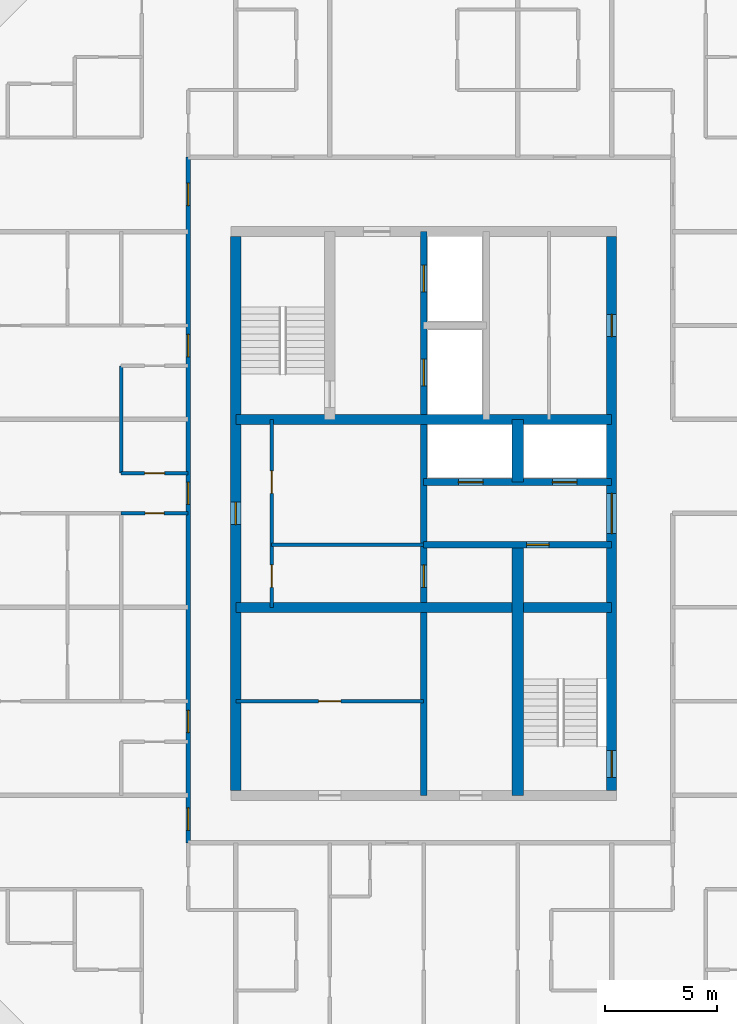
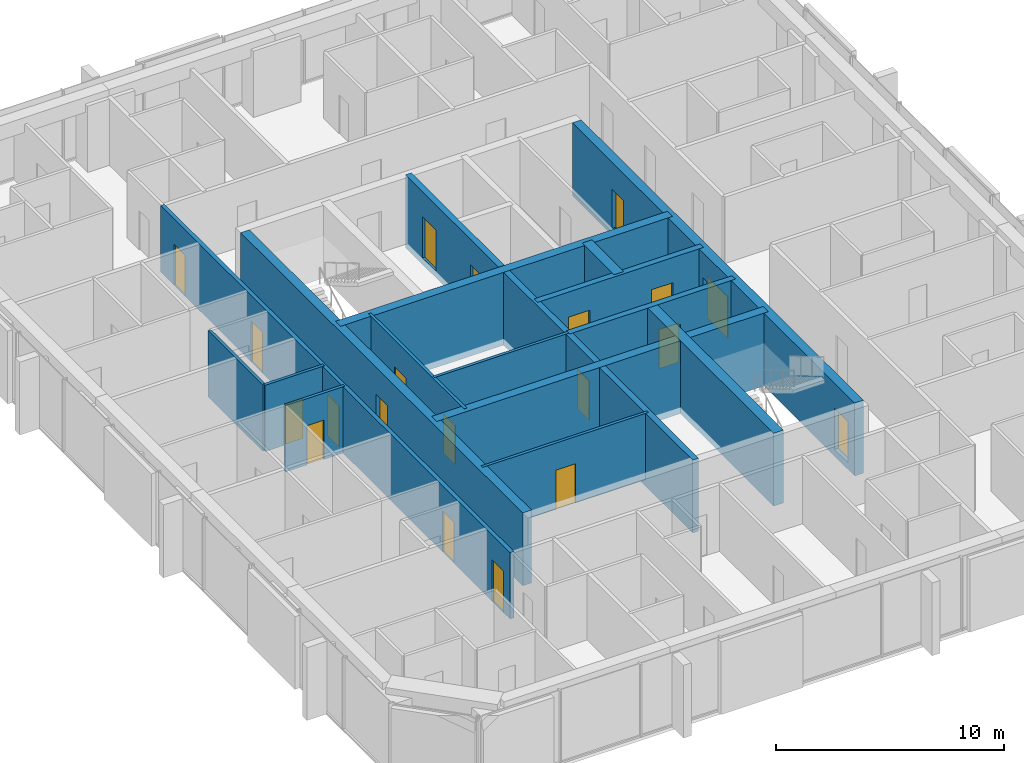
# One storey, part 8 of 12: 20 doors, 16 walls, 20 openings.
"""IFC4 building model written with IfcOpenShell, lengths in metres."""

from ifc_helpers import new_model, si_unit, direction, frame, frame_2d, origin, place, context, subcontext, project, spatial, rectangle, extrude, material, layer, layer_set, type_object, element, fill, save


model = new_model("IFC4")

# Units and contexts
model_context = context("Model", 3, precision=1e-05, world=origin(), true_north=direction((0.0, 1.0)))
body_context = subcontext(model_context, "Body", "Model", "MODEL_VIEW")
ifc_project = project(units=[si_unit("LENGTHUNIT", "METRE"), si_unit("AREAUNIT", "SQUARE_METRE"), si_unit("VOLUMEUNIT", "CUBIC_METRE"), si_unit("PLANEANGLEUNIT", "RADIAN"), si_unit("MASSUNIT", "GRAM", prefix="KILO")], contexts=[model_context])

# Site, building, storey
site_placement = place(None, origin())
site = spatial("IfcSite", under=ifc_project, at=site_placement, CompositionType="ELEMENT")
building_placement = place(site_placement, origin())
building = spatial("IfcBuilding", under=site, at=building_placement, Name="Dunama Terrace Hotel", CompositionType="ELEMENT")
storey_placement = place(building_placement, frame((0.0, 0.0, 252.89990234375)))
storey = spatial("IfcBuildingStorey", under=building, at=storey_placement, Name="L65", CompositionType="ELEMENT", Elevation=252.89990234375)

# Wall, opening, door
ifc_material_1 = material(Name="Gypsum board partition", Category="masonry")
ifc_layer_1 = layer(ifc_material_1, 0.14990234375)
ifc_layer_set_1 = layer_set([ifc_layer_1], Name="Bathroom partition 150")
wall_type_1 = type_object("IfcWallType", Name="Bathroom partition 150", PredefinedType="PARTITIONING", material=ifc_layer_set_1)
wall_1_placement = place(storey_placement, frame((20.074951171875, 29.39990234375, 0.0), z_axis=(0.0, 0.0, 1.0), x_axis=(1.0, 0.0, 0.0)))
wall_1 = element("IfcWall", 1, at=wall_1_placement, inside=storey, type_object=wall_type_1, Name="Bathroom partition 150 L65", PredefinedType="PARTITIONING", context=body_context, shape_type="SweptSolid", body=[
    extrude(rectangle(XDim=3.0, YDim=0.14990234375, at=frame_2d((1.5, 0.0))), origin(), (0.0, 0.0, 1.0), 3.550048828125),
])
opening_1_placement = place(wall_1_placement, frame((1.074951171875, 0.0, 0.0)))
opening_1 = element("IfcOpeningElement", 2, at=opening_1_placement, cuts=wall_1, Name="Opening L65-67-036", PredefinedType="OPENING", context=body_context, shape_type="SweptSolid", body=[
    extrude(rectangle(XDim=0.85009765625, YDim=2.10009765625, at=frame_2d((0.425048828125, 1.050048828125))), frame((0.0, 0.0849609375, 0.0), z_axis=(0.0, -1.0, 0.0), x_axis=(1.0, 0.0, 0.0)), (0.0, 0.0, 1.0), 0.169921875),
])
ifc_material_2 = material(Name="Timber door with steel frame", Category="steel")
door_type_1 = type_object("IfcDoorType", Name="Bathroom door 850", OperationType="SINGLE_SWING_LEFT", PredefinedType="DOOR", material=ifc_material_2)
door_1_placement = place(opening_1_placement, frame((0.85009765625, 0.0, 0.0), z_axis=(0.0, 0.0, 1.0), x_axis=(-1.0, 0.0, 0.0)))
door_1 = element("IfcDoor", 3, at=door_1_placement, inside=storey, type_object=door_type_1, Name="Door to residence bathroom L65-67-036, type D2", OperationType="SINGLE_SWING_LEFT", OverallHeight=2.10009765625, OverallWidth=0.85009765625, PredefinedType="DOOR", context=body_context, shape_type="SweptSolid", body=[
    extrude(rectangle(XDim=0.85009765625, YDim=2.10009765625, at=frame_2d((0.425048828125, 1.050048828125))), frame((0.0, 0.025146484375, 0.0), z_axis=(0.0, -1.0, 0.0), x_axis=(1.0, 0.0, 0.0)), (0.0, 0.0, 1.0), 0.050048828125),
])
fill(opening_1, door_1)

# Wall, openings, doors
ifc_material_3 = material(Name="Concrete C50/60", Category="concrete")
ifc_layer_2 = layer(ifc_material_3, 0.300048828125)
ifc_layer_set_2 = layer_set([ifc_layer_2], Name="Core inner wall 300")
wall_type_2 = type_object("IfcWallType", Name="Core inner wall 300", PredefinedType="SHEAR", material=ifc_layer_set_2)
wall_2_placement = place(storey_placement, frame((33.60009765625, 16.800048828125, -0.349853515625), z_axis=(0.0, 0.0, 1.0), x_axis=(0.0, 1.0, 0.0)))
wall_2 = element("IfcWall", 4, at=wall_2_placement, inside=storey, type_object=wall_type_2, Name="Core inner wall 300 L65", PredefinedType="SHEAR", context=body_context, shape_type="SweptSolid", body=[
    extrude(rectangle(XDim=25.199951171875, YDim=0.300048828125, at=frame_2d((12.60009765625, 0.0))), origin(), (0.0, 0.0, 1.0), 3.89990234375),
])
opening_2_placement = place(wall_2_placement, frame((22.5, 0.0, 0.35009765625)))
opening_2 = element("IfcOpeningElement", 5, at=opening_2_placement, cuts=wall_2, Name="Opening L65-67-005", PredefinedType="OPENING", context=body_context, shape_type="SweptSolid", body=[
    extrude(rectangle(XDim=1.199951171875, YDim=2.199951171875, at=frame_2d((0.60009765625, 1.10009765625))), frame((0.0, 0.159912109375, 0.0), z_axis=(0.0, -1.0, 0.0), x_axis=(1.0, 0.0, 0.0)), (0.0, 0.0, 1.0), 0.320068359375),
])
opening_3_placement = place(wall_2_placement, frame((18.300048828125, 0.0, 0.35009765625)))
opening_3 = element("IfcOpeningElement", 6, at=opening_3_placement, cuts=wall_2, Name="Opening L65-67-006", PredefinedType="OPENING", context=body_context, shape_type="SweptSolid", body=[
    extrude(rectangle(XDim=1.199951171875, YDim=2.199951171875, at=frame_2d((0.60009765625, 1.10009765625))), frame((0.0, 0.159912109375, 0.0), z_axis=(0.0, -1.0, 0.0), x_axis=(1.0, 0.0, 0.0)), (0.0, 0.0, 1.0), 0.320068359375),
])
opening_4_placement = place(wall_2_placement, frame((9.300048828125, 0.0, 0.35009765625)))
opening_4 = element("IfcOpeningElement", 7, at=opening_4_placement, cuts=wall_2, Name="Opening L65-67-067", PredefinedType="OPENING", context=body_context, shape_type="SweptSolid", body=[
    extrude(rectangle(XDim=1.0, YDim=2.10009765625, at=frame_2d((0.5, 1.050048828125))), frame((0.0, 0.159912109375, 0.0), z_axis=(0.0, -1.0, 0.0), x_axis=(1.0, 0.0, 0.0)), (0.0, 0.0, 1.0), 0.320068359375),
])
ifc_material_4 = material(Name="Stainless steel lift door", Category="steel")
door_type_2 = type_object("IfcDoorType", Name="Firefighting lift landing door 1200", OperationType="DOUBLE_DOOR_SLIDING", PredefinedType="DOOR", material=ifc_material_4)
door_2_placement = place(opening_2_placement, origin())
door_2 = element("IfcDoor", 8, at=door_2_placement, inside=storey, type_object=door_type_2, Name="Landing door FL1 L65-67-005, type LD2", OperationType="DOUBLE_DOOR_SLIDING", OverallHeight=2.199951171875, OverallWidth=1.199951171875, PredefinedType="DOOR", context=body_context, shape_type="SweptSolid", body=[
    extrude(rectangle(XDim=1.199951171875, YDim=2.199951171875, at=frame_2d((0.60009765625, 1.10009765625))), frame((0.0, 0.02490234375, 0.0), z_axis=(0.0, -1.0, 0.0), x_axis=(1.0, 0.0, 0.0)), (0.0, 0.0, 1.0), 0.050048828125),
])
fill(opening_2, door_2)
door_3_placement = place(opening_3_placement, origin())
door_3 = element("IfcDoor", 9, at=door_3_placement, inside=storey, type_object=door_type_2, Name="Landing door FL2 L65-67-006, type LD2", OperationType="DOUBLE_DOOR_SLIDING", OverallHeight=2.199951171875, OverallWidth=1.199951171875, PredefinedType="DOOR", context=body_context, shape_type="SweptSolid", body=[
    extrude(rectangle(XDim=1.199951171875, YDim=2.199951171875, at=frame_2d((0.60009765625, 1.10009765625))), frame((0.0, 0.02490234375, 0.0), z_axis=(0.0, -1.0, 0.0), x_axis=(1.0, 0.0, 0.0)), (0.0, 0.0, 1.0), 0.050048828125),
])
fill(opening_3, door_3)
ifc_material_5 = material(Name="Timber door with steel frame", Category="steel")
door_type_3 = type_object("IfcDoorType", Name="Service door 1000", OperationType="SINGLE_SWING_LEFT", PredefinedType="DOOR", material=ifc_material_5)
door_4_placement = place(opening_4_placement, frame((1.0, 0.0, 0.0), z_axis=(0.0, 0.0, 1.0), x_axis=(-1.0, 0.0, 0.0)))
door_4 = element("IfcDoor", 10, at=door_4_placement, inside=storey, type_object=door_type_3, Name="Door to service riser L65-67-067, type D7", OperationType="SINGLE_SWING_RIGHT", OverallHeight=2.10009765625, OverallWidth=1.0, PredefinedType="DOOR", context=body_context, shape_type="SweptSolid", body=[
    extrude(rectangle(XDim=1.0, YDim=2.10009765625, at=frame_2d((0.5, 1.050048828125))), frame((0.0, 0.025146484375, 0.0), z_axis=(0.0, -1.0, 0.0), x_axis=(1.0, 0.0, 0.0)), (0.0, 0.0, 1.0), 0.050048828125),
])
fill(opening_4, door_4)

# Wall, opening, door
wall_3_placement = place(storey_placement, frame((33.60009765625, 28.0, -0.349853515625), z_axis=(0.0, 0.0, 1.0), x_axis=(1.0, 0.0, 0.0)))
wall_3 = element("IfcWall", 11, at=wall_3_placement, inside=storey, type_object=wall_type_2, Name="Core inner wall 300 L65", PredefinedType="SHEAR", context=body_context, shape_type="SweptSolid", body=[
    extrude(rectangle(XDim=8.39990234375, YDim=0.300048828125, at=frame_2d((4.199951171875, 0.0))), origin(), (0.0, 0.0, 1.0), 3.89990234375),
])
opening_5_placement = place(wall_3_placement, frame((4.60009765625, 0.0, 0.35009765625)))
opening_5 = element("IfcOpeningElement", 12, at=opening_5_placement, cuts=wall_3, Name="Opening L65-67-068", PredefinedType="OPENING", context=body_context, shape_type="SweptSolid", body=[
    extrude(rectangle(XDim=1.0, YDim=2.10009765625, at=frame_2d((0.5, 1.050048828125))), frame((0.0, 0.159912109375, 0.0), z_axis=(0.0, -1.0, 0.0), x_axis=(1.0, 0.0, 0.0)), (0.0, 0.0, 1.0), 0.320068359375),
])
door_5_placement = place(opening_5_placement, frame((1.0, 0.0, 0.0), z_axis=(0.0, 0.0, 1.0), x_axis=(-1.0, 0.0, 0.0)))
door_5 = element("IfcDoor", 13, at=door_5_placement, inside=storey, type_object=door_type_3, Name="Door to ice and vending room L65-67-068, type D7", OperationType="SINGLE_SWING_RIGHT", OverallHeight=2.10009765625, OverallWidth=1.0, PredefinedType="DOOR", context=body_context, shape_type="SweptSolid", body=[
    extrude(rectangle(XDim=1.0, YDim=2.10009765625, at=frame_2d((0.5, 1.050048828125))), frame((0.0, 0.025146484375, 0.0), z_axis=(0.0, -1.0, 0.0), x_axis=(1.0, 0.0, 0.0)), (0.0, 0.0, 1.0), 0.050048828125),
])
fill(opening_5, door_5)

# Wall, openings, doors
wall_4_placement = place(storey_placement, frame((33.60009765625, 30.800048828125, -0.349853515625), z_axis=(0.0, 0.0, 1.0), x_axis=(1.0, 0.0, 0.0)))
wall_4 = element("IfcWall", 14, at=wall_4_placement, inside=storey, type_object=wall_type_2, Name="Core inner wall 300 L65", PredefinedType="SHEAR", context=body_context, shape_type="SweptSolid", body=[
    extrude(rectangle(XDim=8.39990234375, YDim=0.300048828125, at=frame_2d((4.199951171875, 0.0))), origin(), (0.0, 0.0, 1.0), 3.89990234375),
])
opening_6_placement = place(wall_4_placement, frame((1.550048828125, 0.0, 0.35009765625)))
opening_6 = element("IfcOpeningElement", 15, at=opening_6_placement, cuts=wall_4, Name="Opening L65-67-003", PredefinedType="OPENING", context=body_context, shape_type="SweptSolid", body=[
    extrude(rectangle(XDim=1.10009765625, YDim=2.199951171875, at=frame_2d((0.550048828125, 1.10009765625))), frame((0.0, 0.159912109375, 0.0), z_axis=(0.0, -1.0, 0.0), x_axis=(1.0, 0.0, 0.0)), (0.0, 0.0, 1.0), 0.320068359375),
])
opening_7_placement = place(wall_4_placement, frame((5.75, 0.0, 0.35009765625)))
opening_7 = element("IfcOpeningElement", 16, at=opening_7_placement, cuts=wall_4, Name="Opening L65-67-004", PredefinedType="OPENING", context=body_context, shape_type="SweptSolid", body=[
    extrude(rectangle(XDim=1.10009765625, YDim=2.199951171875, at=frame_2d((0.550048828125, 1.10009765625))), frame((0.0, 0.159912109375, 0.0), z_axis=(0.0, -1.0, 0.0), x_axis=(1.0, 0.0, 0.0)), (0.0, 0.0, 1.0), 0.320068359375),
])
ifc_material_6 = material(Name="Stainless steel lift door", Category="steel")
door_type_4 = type_object("IfcDoorType", Name="Lift landing door 1100", OperationType="DOUBLE_DOOR_SLIDING", PredefinedType="DOOR", material=ifc_material_6)
door_6_placement = place(opening_6_placement, origin())
door_6 = element("IfcDoor", 17, at=door_6_placement, inside=storey, type_object=door_type_4, Name="Landing door PD1 L65-67-003, type LD1", OperationType="DOUBLE_DOOR_SLIDING", OverallHeight=2.199951171875, OverallWidth=1.10009765625, PredefinedType="DOOR", context=body_context, shape_type="SweptSolid", body=[
    extrude(rectangle(XDim=1.10009765625, YDim=2.199951171875, at=frame_2d((0.550048828125, 1.10009765625))), frame((0.0, 0.02490234375, 0.0), z_axis=(0.0, -1.0, 0.0), x_axis=(1.0, 0.0, 0.0)), (0.0, 0.0, 1.0), 0.050048828125),
])
fill(opening_6, door_6)
door_7_placement = place(opening_7_placement, origin())
door_7 = element("IfcDoor", 18, at=door_7_placement, inside=storey, type_object=door_type_4, Name="Landing door PD2 L65-67-004, type LD1", OperationType="DOUBLE_DOOR_SLIDING", OverallHeight=2.199951171875, OverallWidth=1.10009765625, PredefinedType="DOOR", context=body_context, shape_type="SweptSolid", body=[
    extrude(rectangle(XDim=1.10009765625, YDim=2.199951171875, at=frame_2d((0.550048828125, 1.10009765625))), frame((0.0, 0.02490234375, 0.0), z_axis=(0.0, -1.0, 0.0), x_axis=(1.0, 0.0, 0.0)), (0.0, 0.0, 1.0), 0.050048828125),
])
fill(opening_7, door_7)

# Walls
ifc_material_7 = material(Name="Concrete C50/60", Category="concrete")
ifc_layer_3 = layer(ifc_material_7, 0.449951171875)
ifc_layer_set_3 = layer_set([ifc_layer_3], Name="Core inner wall 450")
wall_type_3 = type_object("IfcWallType", Name="Core inner wall 450", PredefinedType="SHEAR", material=ifc_layer_set_3)
for number, where, z_axis, x_axis, name in (
    (19, (25.199951171875, 25.199951171875, -0.349853515625), (0.0, 0.0, 1.0), (1.0, 0.0, 0.0), "Core inner wall 450 L65"),
    (20, (25.199951171875, 33.60009765625, -0.349853515625), (0.0, 0.0, 1.0), (1.0, 0.0, 0.0), "Core inner wall 450 L65"),
):
    element("IfcWall", number, at=place(storey_placement, frame(where, z_axis=z_axis, x_axis=x_axis)), inside=storey, type_object=wall_type_3, Name=name, PredefinedType="SHEAR", context=body_context, shape_type="SweptSolid", body=[
        extrude(rectangle(XDim=16.800048828125, YDim=0.449951171875, at=frame_2d((8.39990234375, 0.0))), origin(), (0.0, 0.0, 1.0), 3.89990234375),
    ])
ifc_material_8 = material(Name="Concrete C50/60", Category="concrete")
ifc_layer_4 = layer(ifc_material_8, 0.5)
ifc_layer_set_4 = layer_set([ifc_layer_4], Name="Core inner wall 500")
wall_type_4 = type_object("IfcWallType", Name="Core inner wall 500", PredefinedType="SHEAR", material=ifc_layer_set_4)
wall_5_placement = place(storey_placement, frame((37.800048828125, 16.800048828125, -0.349853515625), z_axis=(0.0, 0.0, 1.0), x_axis=(0.0, 1.0, 0.0)))
element("IfcWall", 21, at=wall_5_placement, inside=storey, type_object=wall_type_4, Name="Core inner wall 500 L65", PredefinedType="SHEAR", context=body_context, shape_type="SweptSolid", body=[
    extrude(rectangle(XDim=11.199951171875, YDim=0.5, at=frame_2d((5.60009765625, 0.0))), origin(), (0.0, 0.0, 1.0), 3.89990234375),
])
wall_6_placement = place(storey_placement, frame((37.800048828125, 30.800048828125, -0.349853515625), z_axis=(0.0, 0.0, 1.0), x_axis=(0.0, 1.0, 0.0)))
element("IfcWall", 22, at=wall_6_placement, inside=storey, type_object=wall_type_4, Name="Core inner wall 500 L65", PredefinedType="SHEAR", context=body_context, shape_type="SweptSolid", body=[
    extrude(rectangle(XDim=2.800048828125, YDim=0.5, at=frame_2d((1.39990234375, 0.0))), origin(), (0.0, 0.0, 1.0), 3.89990234375),
])

# Wall, openings, doors
ifc_material_9 = material(Name="Concrete C50/60", Category="concrete")
ifc_layer_5 = layer(ifc_material_9, 0.449951171875)
ifc_layer_set_5 = layer_set([ifc_layer_5], Name="Core wall 450")
wall_type_5 = type_object("IfcWallType", Name="Core wall 450", PredefinedType="SHEAR", material=ifc_layer_set_5)
wall_7_placement = place(storey_placement, frame((42.0, 17.02490234375, -0.349853515625), z_axis=(0.0, 0.0, 1.0), x_axis=(0.0, 1.0, 0.0)))
wall_7 = element("IfcWall", 23, at=wall_7_placement, inside=storey, type_object=wall_type_5, Name="Core wall east L65", PredefinedType="SHEAR", context=body_context, shape_type="SweptSolid", body=[
    extrude(rectangle(XDim=24.75, YDim=0.449951171875, at=frame_2d((12.375, 0.0))), origin(), (0.0, 0.0, 1.0), 3.89990234375),
])
opening_8_placement = place(wall_7_placement, frame((0.574951171875, 0.0, 0.35009765625)))
opening_8 = element("IfcOpeningElement", 24, at=opening_8_placement, cuts=wall_7, Name="Opening L65-67-002", PredefinedType="OPENING", context=body_context, shape_type="SweptSolid", body=[
    extrude(rectangle(XDim=1.199951171875, YDim=2.199951171875, at=frame_2d((0.60009765625, 1.10009765625))), frame((0.0, 0.23486328125, 0.0), z_axis=(0.0, -1.0, 0.0), x_axis=(1.0, 0.0, 0.0)), (0.0, 0.0, 1.0), 0.469970703125),
])
opening_9_placement = place(wall_7_placement, frame((11.47509765625, 0.0, 0.35009765625)))
opening_9 = element("IfcOpeningElement", 25, at=opening_9_placement, cuts=wall_7, Name="Opening L65-67-069", PredefinedType="OPENING", context=body_context, shape_type="SweptSolid", body=[
    extrude(rectangle(XDim=1.800048828125, YDim=2.199951171875, at=frame_2d((0.89990234375, 1.10009765625))), frame((0.0, 0.23486328125, 0.0), z_axis=(0.0, -1.0, 0.0), x_axis=(1.0, 0.0, 0.0)), (0.0, 0.0, 1.0), 0.469970703125),
])
opening_10_placement = place(wall_7_placement, frame((20.27490234375, 0.0, 0.35009765625)))
opening_10 = element("IfcOpeningElement", 26, at=opening_10_placement, cuts=wall_7, Name="Opening L65-67-071", PredefinedType="OPENING", context=body_context, shape_type="SweptSolid", body=[
    extrude(rectangle(XDim=1.0, YDim=2.10009765625, at=frame_2d((0.5, 1.050048828125))), frame((0.0, 0.23486328125, 0.0), z_axis=(0.0, -1.0, 0.0), x_axis=(1.0, 0.0, 0.0)), (0.0, 0.0, 1.0), 0.469970703125),
])
ifc_material_10 = material(Name="Timber door with steel frame", Category="steel")
door_type_5 = type_object("IfcDoorType", Name="Lift lobby double door 1800", OperationType="DOUBLE_DOOR_DOUBLE_SWING", PredefinedType="DOOR", material=ifc_material_10)
door_8_placement = place(opening_9_placement, origin())
door_8 = element("IfcDoor", 27, at=door_8_placement, inside=storey, type_object=door_type_5, Name="Door to lift lobby L65-67-069, type D3", OperationType="DOUBLE_DOOR_DOUBLE_SWING", OverallHeight=2.199951171875, OverallWidth=1.800048828125, PredefinedType="DOOR", context=body_context, shape_type="SweptSolid", body=[
    extrude(rectangle(XDim=1.800048828125, YDim=2.199951171875, at=frame_2d((0.89990234375, 1.10009765625))), frame((0.0, 0.02490234375, 0.0), z_axis=(0.0, -1.0, 0.0), x_axis=(1.0, 0.0, 0.0)), (0.0, 0.0, 1.0), 0.050048828125),
])
fill(opening_9, door_8)
door_9_placement = place(opening_10_placement, origin())
door_9 = element("IfcDoor", 28, at=door_9_placement, inside=storey, type_object=door_type_3, Name="Door to housekeeping store L65-67-071, type D7", OperationType="SINGLE_SWING_LEFT", OverallHeight=2.10009765625, OverallWidth=1.0, PredefinedType="DOOR", context=body_context, shape_type="SweptSolid", body=[
    extrude(rectangle(XDim=1.0, YDim=2.10009765625, at=frame_2d((0.5, 1.050048828125))), frame((0.0, 0.02490234375, 0.0), z_axis=(0.0, -1.0, 0.0), x_axis=(1.0, 0.0, 0.0)), (0.0, 0.0, 1.0), 0.050048828125),
])
fill(opening_10, door_9)
ifc_material_11 = material(Name="Timber door with steel frame", Category="steel")
door_type_6 = type_object("IfcDoorType", Name="Stair door 1200", OperationType="SINGLE_SWING_LEFT", PredefinedType="DOOR", material=ifc_material_11)
door_10_placement = place(opening_8_placement, origin())
door_10 = element("IfcDoor", 29, at=door_10_placement, inside=storey, type_object=door_type_6, Name="Stair door ST2 L65-67-002, type D5", OperationType="SINGLE_SWING_LEFT", OverallHeight=2.199951171875, OverallWidth=1.199951171875, PredefinedType="DOOR", context=body_context, shape_type="SweptSolid", body=[
    extrude(rectangle(XDim=1.199951171875, YDim=2.199951171875, at=frame_2d((0.60009765625, 1.10009765625))), frame((0.0, 0.02490234375, 0.0), z_axis=(0.0, -1.0, 0.0), x_axis=(1.0, 0.0, 0.0)), (0.0, 0.0, 1.0), 0.050048828125),
])
fill(opening_8, door_10)

# Wall, opening, door
wall_8_placement = place(storey_placement, frame((25.199951171875, 41.77490234375, -0.349853515625), z_axis=(0.0, 0.0, 1.0), x_axis=(0.0, -1.0, 0.0)))
wall_8 = element("IfcWall", 30, at=wall_8_placement, inside=storey, type_object=wall_type_5, Name="Core wall west L65", PredefinedType="SHEAR", context=body_context, shape_type="SweptSolid", body=[
    extrude(rectangle(XDim=24.75, YDim=0.449951171875, at=frame_2d((12.375, 0.0))), origin(), (0.0, 0.0, 1.0), 3.89990234375),
])
opening_11_placement = place(wall_8_placement, frame((11.875, 0.0, 0.35009765625)))
opening_11 = element("IfcOpeningElement", 31, at=opening_11_placement, cuts=wall_8, Name="Opening L65-67-064", PredefinedType="OPENING", context=body_context, shape_type="SweptSolid", body=[
    extrude(rectangle(XDim=1.0, YDim=2.10009765625, at=frame_2d((0.5, 1.050048828125))), frame((0.0, 0.23486328125, 0.0), z_axis=(0.0, -1.0, 0.0), x_axis=(1.0, 0.0, 0.0)), (0.0, 0.0, 1.0), 0.469970703125),
])
door_11_placement = place(opening_11_placement, origin())
door_11 = element("IfcDoor", 32, at=door_11_placement, inside=storey, type_object=door_type_3, Name="Door to staff passage L65-67-064, type D7", OperationType="SINGLE_SWING_LEFT", OverallHeight=2.10009765625, OverallWidth=1.0, PredefinedType="DOOR", context=body_context, shape_type="SweptSolid", body=[
    extrude(rectangle(XDim=1.0, YDim=2.10009765625, at=frame_2d((0.5, 1.050048828125))), frame((0.0, 0.02490234375, 0.0), z_axis=(0.0, -1.0, 0.0), x_axis=(1.0, 0.0, 0.0)), (0.0, 0.0, 1.0), 0.050048828125),
])
fill(opening_11, door_11)

# Wall, openings, doors
ifc_material_12 = material(Name="Concrete blockwork", Category="masonry")
ifc_layer_6 = layer(ifc_material_12, 0.199951171875)
ifc_layer_set_6 = layer_set([ifc_layer_6], Name="Corridor partition 200")
wall_type_6 = type_object("IfcWallType", Name="Corridor partition 200", PredefinedType="PARTITIONING", material=ifc_layer_set_6)
wall_9_placement = place(storey_placement, frame((23.074951171875, 14.675048828125, 0.0), z_axis=(0.0, 0.0, 1.0), x_axis=(0.0, 1.0, 0.0)))
wall_9 = element("IfcWall", 33, at=wall_9_placement, inside=storey, type_object=wall_type_6, Name="Corridor partition 200 L65", PredefinedType="PARTITIONING", context=body_context, shape_type="SweptSolid", body=[
    extrude(rectangle(XDim=30.64990234375, YDim=0.199951171875, at=frame_2d((15.324951171875, 0.0))), origin(), (0.0, 0.0, 1.0), 3.550048828125),
])
opening_12_placement = place(wall_9_placement, frame((4.925048828125, 0.0, 0.0)))
opening_12 = element("IfcOpeningElement", 34, at=opening_12_placement, cuts=wall_9, Name="Opening L65-67-029", PredefinedType="OPENING", context=body_context, shape_type="SweptSolid", body=[
    extrude(rectangle(XDim=1.0, YDim=2.199951171875, at=frame_2d((0.5, 1.10009765625))), frame((0.0, 0.10986328125, 0.0), z_axis=(0.0, -1.0, 0.0), x_axis=(1.0, 0.0, 0.0)), (0.0, 0.0, 1.0), 0.219970703125),
])
opening_13_placement = place(wall_9_placement, frame((15.125, 0.0, 0.0)))
opening_13 = element("IfcOpeningElement", 35, at=opening_13_placement, cuts=wall_9, Name="Opening L65-67-034", PredefinedType="OPENING", context=body_context, shape_type="SweptSolid", body=[
    extrude(rectangle(XDim=1.0, YDim=2.199951171875, at=frame_2d((0.5, 1.10009765625))), frame((0.0, 0.10986328125, 0.0), z_axis=(0.0, -1.0, 0.0), x_axis=(1.0, 0.0, 0.0)), (0.0, 0.0, 1.0), 0.219970703125),
])
opening_14_placement = place(wall_9_placement, frame((21.72509765625, 0.0, 0.0)))
opening_14 = element("IfcOpeningElement", 36, at=opening_14_placement, cuts=wall_9, Name="Opening L65-67-039", PredefinedType="OPENING", context=body_context, shape_type="SweptSolid", body=[
    extrude(rectangle(XDim=1.0, YDim=2.199951171875, at=frame_2d((0.5, 1.10009765625))), frame((0.0, 0.10986328125, 0.0), z_axis=(0.0, -1.0, 0.0), x_axis=(1.0, 0.0, 0.0)), (0.0, 0.0, 1.0), 0.219970703125),
])
opening_15_placement = place(wall_9_placement, frame((0.56298828125, 0.0, 0.0)))
opening_15 = element("IfcOpeningElement", 37, at=opening_15_placement, cuts=wall_9, Name="Opening L65-67-044", PredefinedType="OPENING", context=body_context, shape_type="SweptSolid", body=[
    extrude(rectangle(XDim=1.0, YDim=2.199951171875, at=frame_2d((0.5, 1.10009765625))), frame((0.0, 0.10986328125, 0.0), z_axis=(0.0, -1.0, 0.0), x_axis=(1.0, 0.0, 0.0)), (0.0, 0.0, 1.0), 0.219970703125),
])
opening_16_placement = place(wall_9_placement, frame((28.488037109375, 0.0, 0.0)))
opening_16 = element("IfcOpeningElement", 38, at=opening_16_placement, cuts=wall_9, Name="Opening L65-67-059", PredefinedType="OPENING", context=body_context, shape_type="SweptSolid", body=[
    extrude(rectangle(XDim=1.0, YDim=2.199951171875, at=frame_2d((0.5, 1.10009765625))), frame((0.0, 0.10986328125, 0.0), z_axis=(0.0, -1.0, 0.0), x_axis=(1.0, 0.0, 0.0)), (0.0, 0.0, 1.0), 0.219970703125),
])
ifc_material_13 = material(Name="Timber door with steel frame", Category="steel")
door_type_7 = type_object("IfcDoorType", Name="Guest room door 1000", OperationType="SINGLE_SWING_LEFT", PredefinedType="DOOR", material=ifc_material_13)
door_12_placement = place(opening_12_placement, origin())
door_12 = element("IfcDoor", 39, at=door_12_placement, inside=storey, type_object=door_type_7, Name="Door to residence living room L65-67-029, type D1", OperationType="SINGLE_SWING_RIGHT", OverallHeight=2.199951171875, OverallWidth=1.0, PredefinedType="DOOR", context=body_context, shape_type="SweptSolid", body=[
    extrude(rectangle(XDim=1.0, YDim=2.199951171875, at=frame_2d((0.5, 1.10009765625))), frame((0.0, 0.02490234375, 0.0), z_axis=(0.0, -1.0, 0.0), x_axis=(1.0, 0.0, 0.0)), (0.0, 0.0, 1.0), 0.050048828125),
])
fill(opening_12, door_12)
door_13_placement = place(opening_13_placement, origin())
door_13 = element("IfcDoor", 40, at=door_13_placement, inside=storey, type_object=door_type_7, Name="Door to residence living room L65-67-034, type D1", OperationType="SINGLE_SWING_RIGHT", OverallHeight=2.199951171875, OverallWidth=1.0, PredefinedType="DOOR", context=body_context, shape_type="SweptSolid", body=[
    extrude(rectangle(XDim=1.0, YDim=2.199951171875, at=frame_2d((0.5, 1.10009765625))), frame((0.0, 0.02490234375, 0.0), z_axis=(0.0, -1.0, 0.0), x_axis=(1.0, 0.0, 0.0)), (0.0, 0.0, 1.0), 0.050048828125),
])
fill(opening_13, door_13)
door_14_placement = place(opening_14_placement, origin())
door_14 = element("IfcDoor", 41, at=door_14_placement, inside=storey, type_object=door_type_7, Name="Door to residence living room L65-67-039, type D1", OperationType="SINGLE_SWING_RIGHT", OverallHeight=2.199951171875, OverallWidth=1.0, PredefinedType="DOOR", context=body_context, shape_type="SweptSolid", body=[
    extrude(rectangle(XDim=1.0, YDim=2.199951171875, at=frame_2d((0.5, 1.10009765625))), frame((0.0, 0.02490234375, 0.0), z_axis=(0.0, -1.0, 0.0), x_axis=(1.0, 0.0, 0.0)), (0.0, 0.0, 1.0), 0.050048828125),
])
fill(opening_14, door_14)
door_15_placement = place(opening_15_placement, origin())
door_15 = element("IfcDoor", 42, at=door_15_placement, inside=storey, type_object=door_type_7, Name="Door to grand corner suite living room L65-67-044, type D1", OperationType="SINGLE_SWING_RIGHT", OverallHeight=2.199951171875, OverallWidth=1.0, PredefinedType="DOOR", context=body_context, shape_type="SweptSolid", body=[
    extrude(rectangle(XDim=1.0, YDim=2.199951171875, at=frame_2d((0.5, 1.10009765625))), frame((0.0, 0.02490234375, 0.0), z_axis=(0.0, -1.0, 0.0), x_axis=(1.0, 0.0, 0.0)), (0.0, 0.0, 1.0), 0.050048828125),
])
fill(opening_15, door_15)
door_16_placement = place(opening_16_placement, origin())
door_16 = element("IfcDoor", 43, at=door_16_placement, inside=storey, type_object=door_type_7, Name="Door to grand corner suite living room L65-67-059, type D1", OperationType="SINGLE_SWING_RIGHT", OverallHeight=2.199951171875, OverallWidth=1.0, PredefinedType="DOOR", context=body_context, shape_type="SweptSolid", body=[
    extrude(rectangle(XDim=1.0, YDim=2.199951171875, at=frame_2d((0.5, 1.10009765625))), frame((0.0, 0.02490234375, 0.0), z_axis=(0.0, -1.0, 0.0), x_axis=(1.0, 0.0, 0.0)), (0.0, 0.0, 1.0), 0.050048828125),
])
fill(opening_16, door_16)

# Wall
ifc_material_14 = material(Name="Gypsum board partition", Category="masonry")
ifc_layer_7 = layer(ifc_material_14, 0.14990234375)
ifc_layer_set_7 = layer_set([ifc_layer_7], Name="Room partition 150")
wall_type_7 = type_object("IfcWallType", Name="Room partition 150", PredefinedType="PARTITIONING", material=ifc_layer_set_7)
wall_10_placement = place(storey_placement, frame((20.074951171875, 31.199951171875, 0.0), z_axis=(0.0, 0.0, 1.0), x_axis=(0.0, 1.0, 0.0)))
element("IfcWall", 44, at=wall_10_placement, inside=storey, type_object=wall_type_7, Name="Room partition 150 L65", PredefinedType="PARTITIONING", context=body_context, shape_type="SweptSolid", body=[
    extrude(rectangle(XDim=4.800048828125, YDim=0.14990234375, at=frame_2d((2.39990234375, 0.0))), origin(), (0.0, 0.0, 1.0), 3.550048828125),
])

# Wall, openings, doors
wall_11_placement = place(storey_placement, frame((26.800048828125, 25.199951171875, 0.0), z_axis=(0.0, 0.0, 1.0), x_axis=(0.0, 1.0, 0.0)))
wall_11 = element("IfcWall", 45, at=wall_11_placement, inside=storey, type_object=wall_type_7, Name="Room partition 150 L65", PredefinedType="PARTITIONING", context=body_context, shape_type="SweptSolid", body=[
    extrude(rectangle(XDim=8.400146484375, YDim=0.14990234375, at=frame_2d((4.2001953125, 0.0))), origin(), (0.0, 0.0, 1.0), 3.550048828125),
])
opening_17_placement = place(wall_11_placement, frame((0.89990234375, 0.0, 0.0)))
opening_17 = element("IfcOpeningElement", 46, at=opening_17_placement, cuts=wall_11, Name="Opening L65-67-065", PredefinedType="OPENING", context=body_context, shape_type="SweptSolid", body=[
    extrude(rectangle(XDim=1.0, YDim=2.10009765625, at=frame_2d((0.5, 1.050048828125))), frame((0.0, 0.0849609375, 0.0), z_axis=(0.0, -1.0, 0.0), x_axis=(1.0, 0.0, 0.0)), (0.0, 0.0, 1.0), 0.169921875),
])
opening_18_placement = place(wall_11_placement, frame((5.10009765625, 0.0, 0.0)))
opening_18 = element("IfcOpeningElement", 47, at=opening_18_placement, cuts=wall_11, Name="Opening L65-67-066", PredefinedType="OPENING", context=body_context, shape_type="SweptSolid", body=[
    extrude(rectangle(XDim=1.0, YDim=2.10009765625, at=frame_2d((0.5, 1.050048828125))), frame((0.0, 0.0849609375, 0.0), z_axis=(0.0, -1.0, 0.0), x_axis=(1.0, 0.0, 0.0)), (0.0, 0.0, 1.0), 0.169921875),
])
door_17_placement = place(opening_17_placement, frame((1.0, 0.0, 0.0), z_axis=(0.0, 0.0, 1.0), x_axis=(-1.0, 0.0, 0.0)))
door_17 = element("IfcDoor", 48, at=door_17_placement, inside=storey, type_object=door_type_3, Name="Door to riser room L65-67-065, type D7", OperationType="SINGLE_SWING_RIGHT", OverallHeight=2.10009765625, OverallWidth=1.0, PredefinedType="DOOR", context=body_context, shape_type="SweptSolid", body=[
    extrude(rectangle(XDim=1.0, YDim=2.10009765625, at=frame_2d((0.5, 1.050048828125))), frame((0.0, 0.025146484375, 0.0), z_axis=(0.0, -1.0, 0.0), x_axis=(1.0, 0.0, 0.0)), (0.0, 0.0, 1.0), 0.050048828125),
])
fill(opening_17, door_17)
door_18_placement = place(opening_18_placement, frame((1.0, 0.0, 0.0), z_axis=(0.0, 0.0, 1.0), x_axis=(-1.0, 0.0, 0.0)))
door_18 = element("IfcDoor", 49, at=door_18_placement, inside=storey, type_object=door_type_3, Name="Door to linen and housekeeping room L65-67-066, type D7", OperationType="SINGLE_SWING_RIGHT", OverallHeight=2.10009765625, OverallWidth=1.0, PredefinedType="DOOR", context=body_context, shape_type="SweptSolid", body=[
    extrude(rectangle(XDim=1.0, YDim=2.10009765625, at=frame_2d((0.5, 1.050048828125))), frame((0.0, 0.025146484375, 0.0), z_axis=(0.0, -1.0, 0.0), x_axis=(1.0, 0.0, 0.0)), (0.0, 0.0, 1.0), 0.050048828125),
])
fill(opening_18, door_18)

# Wall, opening, door
wall_12_placement = place(storey_placement, frame((25.199951171875, 21.0, 0.0), z_axis=(0.0, 0.0, 1.0), x_axis=(1.0, 0.0, 0.0)))
wall_12 = element("IfcWall", 50, at=wall_12_placement, inside=storey, type_object=wall_type_7, Name="Room partition 150 L65", PredefinedType="PARTITIONING", context=body_context, shape_type="SweptSolid", body=[
    extrude(rectangle(XDim=8.400146484375, YDim=0.14990234375, at=frame_2d((4.2001953125, 0.0))), origin(), (0.0, 0.0, 1.0), 3.550048828125),
])
opening_19_placement = place(wall_12_placement, frame((3.699951171875, 0.0, 0.0)))
opening_19 = element("IfcOpeningElement", 51, at=opening_19_placement, cuts=wall_12, Name="Opening L65-67-074", PredefinedType="OPENING", context=body_context, shape_type="SweptSolid", body=[
    extrude(rectangle(XDim=1.0, YDim=2.10009765625, at=frame_2d((0.5, 1.050048828125))), frame((0.0, 0.0849609375, 0.0), z_axis=(0.0, -1.0, 0.0), x_axis=(1.0, 0.0, 0.0)), (0.0, 0.0, 1.0), 0.169921875),
])
door_19_placement = place(opening_19_placement, origin())
door_19 = element("IfcDoor", 52, at=door_19_placement, inside=storey, type_object=door_type_3, Name="Door to stair pressurisation fan room L65-67-074, type D7", OperationType="SINGLE_SWING_LEFT", OverallHeight=2.10009765625, OverallWidth=1.0, PredefinedType="DOOR", context=body_context, shape_type="SweptSolid", body=[
    extrude(rectangle(XDim=1.0, YDim=2.10009765625, at=frame_2d((0.5, 1.050048828125))), frame((0.0, 0.02490234375, 0.0), z_axis=(0.0, -1.0, 0.0), x_axis=(1.0, 0.0, 0.0)), (0.0, 0.0, 1.0), 0.050048828125),
])
fill(opening_19, door_19)

# Wall
wall_13_placement = place(storey_placement, frame((26.800048828125, 28.0, 0.0), z_axis=(0.0, 0.0, 1.0), x_axis=(1.0, 0.0, 0.0)))
element("IfcWall", 53, at=wall_13_placement, inside=storey, type_object=wall_type_7, Name="Room partition 150 L65", PredefinedType="PARTITIONING", context=body_context, shape_type="SweptSolid", body=[
    extrude(rectangle(XDim=6.800048828125, YDim=0.14990234375, at=frame_2d((3.39990234375, 0.0))), origin(), (0.0, 0.0, 1.0), 3.550048828125),
])

# Wall, opening, door
wall_14_placement = place(storey_placement, frame((20.074951171875, 31.199951171875, 0.0), z_axis=(0.0, 0.0, 1.0), x_axis=(1.0, 0.0, 0.0)))
wall_14 = element("IfcWall", 54, at=wall_14_placement, inside=storey, type_object=wall_type_7, Name="Room partition 150 L65", PredefinedType="PARTITIONING", context=body_context, shape_type="SweptSolid", body=[
    extrude(rectangle(XDim=3.0, YDim=0.14990234375, at=frame_2d((1.5, 0.0))), origin(), (0.0, 0.0, 1.0), 3.550048828125),
])
opening_20_placement = place(wall_14_placement, frame((1.050048828125, 0.0, 0.0)))
opening_20 = element("IfcOpeningElement", 55, at=opening_20_placement, cuts=wall_14, Name="Opening L65-67-035", PredefinedType="OPENING", context=body_context, shape_type="SweptSolid", body=[
    extrude(rectangle(XDim=0.89990234375, YDim=2.10009765625, at=frame_2d((0.449951171875, 1.050048828125))), frame((0.0, 0.0849609375, 0.0), z_axis=(0.0, -1.0, 0.0), x_axis=(1.0, 0.0, 0.0)), (0.0, 0.0, 1.0), 0.169921875),
])
ifc_material_15 = material(Name="Timber door with steel frame", Category="steel")
door_type_8 = type_object("IfcDoorType", Name="Suite internal door 900", OperationType="SINGLE_SWING_LEFT", PredefinedType="DOOR", material=ifc_material_15)
door_20_placement = place(opening_20_placement, origin())
door_20 = element("IfcDoor", 56, at=door_20_placement, inside=storey, type_object=door_type_8, Name="Door to residence kitchen L65-67-035, type D16", OperationType="SINGLE_SWING_RIGHT", OverallHeight=2.10009765625, OverallWidth=0.89990234375, PredefinedType="DOOR", context=body_context, shape_type="SweptSolid", body=[
    extrude(rectangle(XDim=0.89990234375, YDim=2.10009765625, at=frame_2d((0.449951171875, 1.050048828125))), frame((0.0, 0.02490234375, 0.0), z_axis=(0.0, -1.0, 0.0), x_axis=(1.0, 0.0, 0.0)), (0.0, 0.0, 1.0), 0.050048828125),
])
fill(opening_20, door_20)

save(model, "model.ifc")
